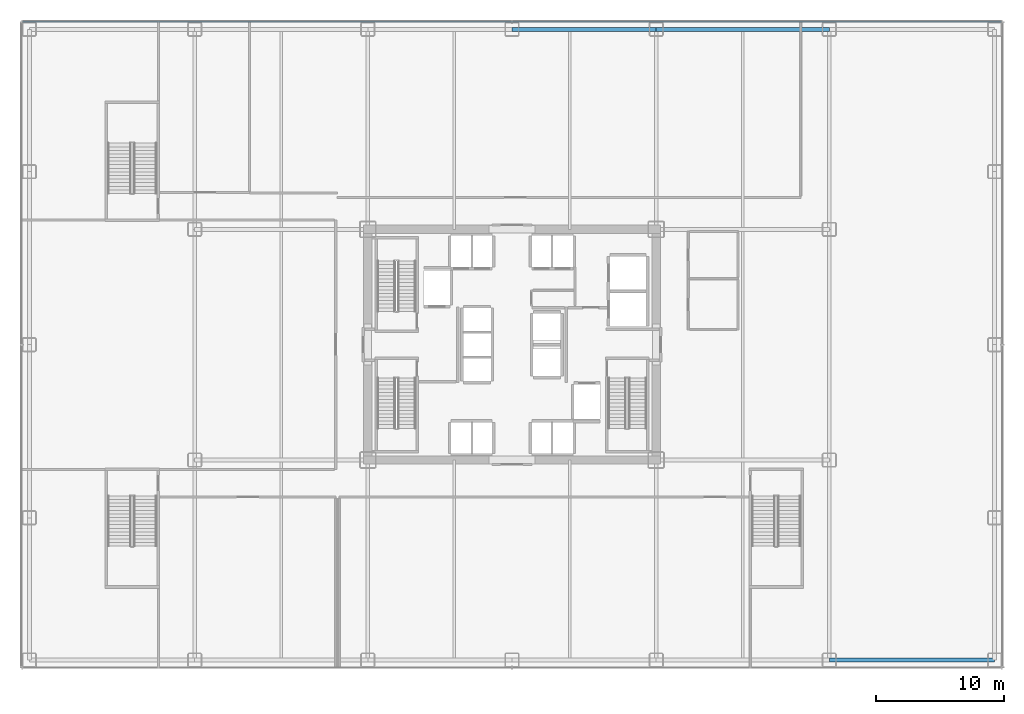
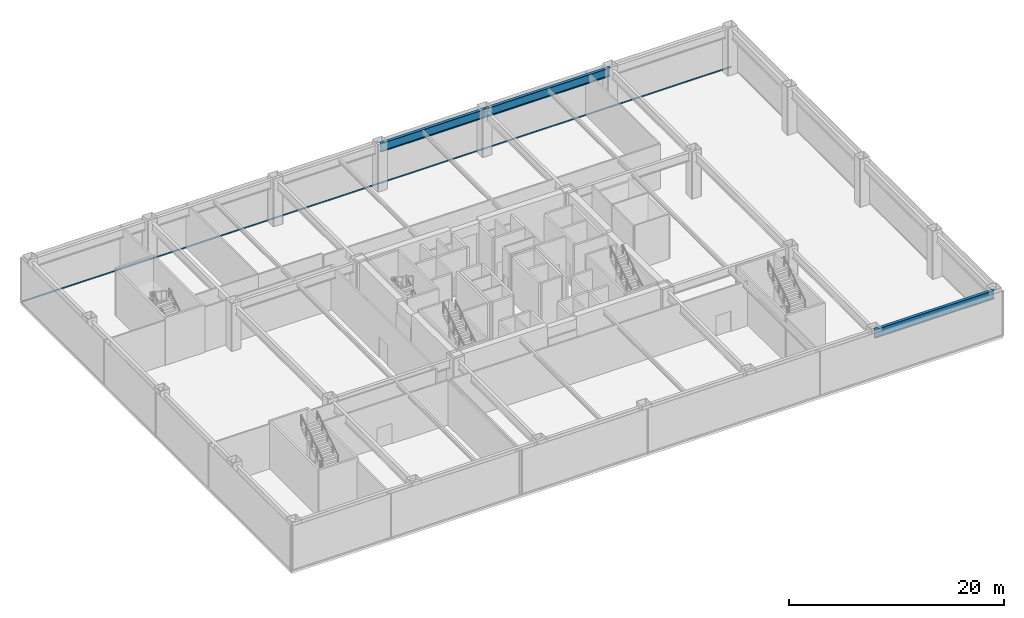
# One storey, part 11 of 24: 3 beams, 1 member, 1 element without a shape of its own.
"""IFC4 building model written with IfcOpenShell, lengths in metres."""

from ifc_helpers import new_model, si_unit, direction, frame, origin, origin_2d, place, context, subcontext, project, spatial, hollow_rectangle, i_section, extrude, source, transform, mapped, material, layer, layer_set, material_profile, profile_set, type_object, element, aggregate, save


model = new_model("IFC4")

# Units and contexts
model_context = context("Model", 3, precision=1e-05, world=origin(), true_north=direction((0.0, 1.0)))
body_context = subcontext(model_context, "Body", "Model", "MODEL_VIEW")
ifc_project = project(units=[si_unit("LENGTHUNIT", "METRE"), si_unit("AREAUNIT", "SQUARE_METRE"), si_unit("VOLUMEUNIT", "CUBIC_METRE"), si_unit("PLANEANGLEUNIT", "RADIAN"), si_unit("MASSUNIT", "GRAM", prefix="KILO")], contexts=[model_context])

# Site, building, storey
site_placement = place(None, origin())
site = spatial("IfcSite", under=ifc_project, at=site_placement, CompositionType="ELEMENT")
building_placement = place(site_placement, origin())
building = spatial("IfcBuilding", under=site, at=building_placement, Name="Nefas-Gora Pilgrimage Tower", CompositionType="ELEMENT")
storey_placement = place(building_placement, frame((0.0, 0.0, 11.39990234375)))
storey = spatial("IfcBuildingStorey", under=building, at=storey_placement, Name="L02", CompositionType="ELEMENT", Elevation=11.39990234375)

# Beams
ifc_material_1 = material(Name="Steel S460", Category="steel")
ifc_material_profile_1 = material_profile(ifc_material_1, i_section(OverallWidth=0.300048828125, OverallDepth=1.0, WebThickness=0.01904296875, FlangeThickness=0.035888671875, FilletRadius=0.030029296875, at=origin_2d()), Name="HEB 1000")
ifc_profile_set_1 = profile_set([ifc_material_profile_1], Name="Steel S460")
beam_type = type_object("IfcBeamType", Name="BM-POD-HEB1000E", PredefinedType="BEAM", material=ifc_profile_set_1)
shared_shape_1 = source(origin(), body_context, "Body", "SweptSolid", [
    extrude(i_section(OverallWidth=0.300048828125, OverallDepth=1.0, WebThickness=0.01904296875, FlangeThickness=0.035888671875, FilletRadius=0.030029296875, at=origin_2d()), origin(), (0.0, 0.0, 1.0), 12.89990234375),
])
beam_1_placement = place(storey_placement, frame((24.75, -24.60009765625, 4.60009765625), z_axis=(1.0, 0.0, 0.0), x_axis=(0.0, 1.0, 0.0)))
element("IfcBeam", 1, at=beam_1_placement, inside=storey, type_object=beam_type, Name="L02 PG-01E beam", PredefinedType="BEAM", context=body_context, shape_type="MappedRepresentation", body=[
    mapped(shared_shape_1, transform((0.0, 0.0, 0.0), x_axis=(1.0, 0.0, 0.0), y_axis=(0.0, 1.0, 0.0), z_axis=(0.0, 0.0, 1.0), scale=1.0)),
])
shared_shape_2 = source(origin(), body_context, "Body", "SweptSolid", [
    extrude(i_section(OverallWidth=0.300048828125, OverallDepth=1.0, WebThickness=0.01904296875, FlangeThickness=0.035888671875, FilletRadius=0.030029296875, at=origin_2d()), origin(), (0.0, 0.0, 1.0), 13.5),
])
beam_2_placement = place(storey_placement, frame((11.25, 24.60009765625, 4.60009765625), z_axis=(1.0, 0.0, 0.0), x_axis=(0.0, 1.0, 0.0)))
element("IfcBeam", 2, at=beam_2_placement, inside=storey, type_object=beam_type, Name="L02 PG-01E beam", PredefinedType="BEAM", context=body_context, shape_type="MappedRepresentation", body=[
    mapped(shared_shape_2, transform((0.0, 0.0, 0.0), x_axis=(1.0, 0.0, 0.0), y_axis=(0.0, 1.0, 0.0), z_axis=(0.0, 0.0, 1.0), scale=1.0)),
])
shared_shape_3 = source(origin(), body_context, "Body", "SweptSolid", [
    extrude(i_section(OverallWidth=0.300048828125, OverallDepth=1.0, WebThickness=0.01904296875, FlangeThickness=0.035888671875, FilletRadius=0.030029296875, at=origin_2d()), origin(), (0.0, 0.0, 1.0), 11.25),
])
beam_3_placement = place(storey_placement, frame((0.0, 24.60009765625, 4.60009765625), z_axis=(1.0, 0.0, 0.0), x_axis=(0.0, 1.0, 0.0)))
element("IfcBeam", 3, at=beam_3_placement, inside=storey, type_object=beam_type, Name="L02 PG-01E beam", PredefinedType="BEAM", context=body_context, shape_type="MappedRepresentation", body=[
    mapped(shared_shape_3, transform((0.0, 0.0, 0.0), x_axis=(1.0, 0.0, 0.0), y_axis=(0.0, 1.0, 0.0), z_axis=(0.0, 0.0, 1.0), scale=1.0)),
])

# Curtain wall, member
ifc_material_2 = material(Name="Dark ceramic-fritted solar-control aluminium-glass curtain wall", Category="aluminium")
ifc_layer = layer(ifc_material_2, 0.219970703125)
ifc_layer_set = layer_set([ifc_layer], Name="Dark ceramic-fritted solar-control aluminium-glass curtain wall")
curtain_wall_type = type_object("IfcCurtainWallType", Name="CW-SYS-1", PredefinedType="NOTDEFINED", material=ifc_layer_set)
curtain_wall_placement = place(storey_placement, origin())
curtain_wall = element("IfcCurtainWall", 4, at=curtain_wall_placement, inside=storey, type_object=curtain_wall_type, Name="L02 Unitised Curtain Wall CW1", PredefinedType="NOTDEFINED")
ifc_material_3 = material(Name="Anodised architectural aluminium", Category="aluminium")
ifc_material_profile_2 = material_profile(ifc_material_3, hollow_rectangle(XDim=0.080078125, YDim=0.159912109375, WallThickness=0.00439453125, InnerFilletRadius=0.00439453125, OuterFilletRadius=0.009033203125, at=origin_2d()), Name="ALU TRANSOM 80x160")
ifc_profile_set_2 = profile_set([ifc_material_profile_2], Name="Anodised architectural aluminium")
member_type = type_object("IfcMemberType", Name="CWM-TRN-1", PredefinedType="USERDEFINED", material=ifc_profile_set_2)
shared_shape_4 = source(origin(), body_context, "Body", "SweptSolid", [
    extrude(hollow_rectangle(XDim=0.080078125, YDim=0.159912109375, WallThickness=0.00439453125, InnerFilletRadius=0.00439453125, OuterFilletRadius=0.009033203125, at=origin_2d()), origin(), (0.0, 0.0, 1.0), 76.31982421875),
])
member_placement = place(storey_placement, frame((38.159912109375, 25.199951171875, 0.050048828125), z_axis=(-1.0, 0.0, 0.0), x_axis=(0.0, -1.0, 0.0)))
member = element("IfcMember", 5, at=member_placement, type_object=member_type, Name="CW1 Spandrel Transom", ObjectType="TRANSOM", PredefinedType="USERDEFINED", context=body_context, shape_type="MappedRepresentation", body=[
    mapped(shared_shape_4, transform((0.0, 0.0, 0.0), x_axis=(1.0, 0.0, 0.0), y_axis=(0.0, 1.0, 0.0), z_axis=(0.0, 0.0, 1.0), scale=1.0)),
])
aggregate(curtain_wall, [member])

save(model, "model.ifc")
